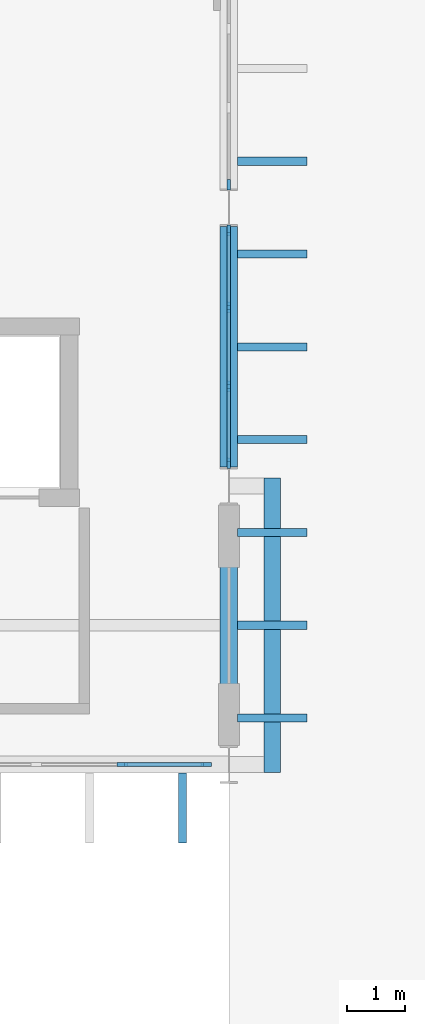
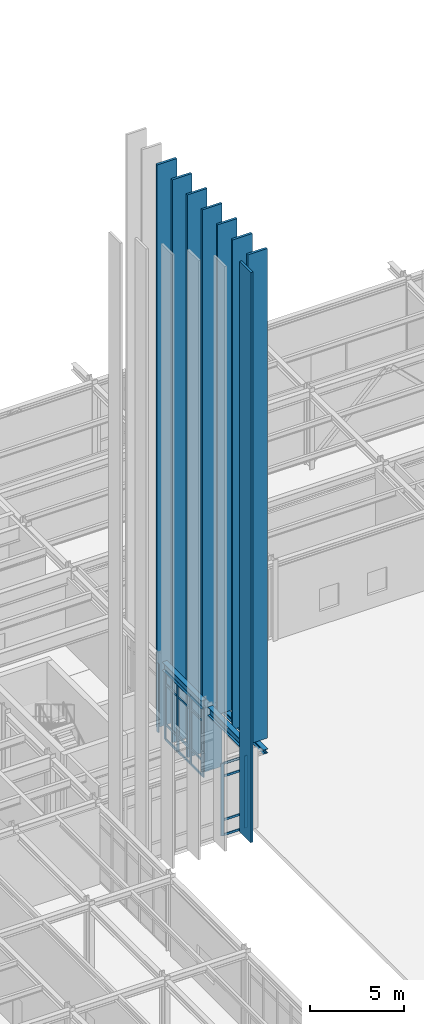
# One storey, part 43 of 109: 31 members, 3 beams, 3 elements without a shape of their own.
"""IFC4 building model written with IfcOpenShell, lengths in metres."""

import ifcopenshell
import ifcopenshell.guid

model = None  # the IFC model being written
_history = None  # IfcOwnerHistory: only IFC2X3 demands one
_inside = {}  # id of a spatial element -> (the spatial element, [elements in it])
_under = {}  # id of a project, library or spatial element -> (it, [spatial elements below it])
_declared = {}  # id of a project -> (the project, [libraries it declares])
_typed = {}  # id of a type object -> (the type object, [elements of that type])
_made_of = {}  # id of a material, layer set ... -> (it, [elements and type objects made of it])


def new_model(schema):
    """Start an empty IFC model of exactly this schema.

    Asked for "IFC4X3", IfcOpenShell would pick the latest addendum, in which some entities
    have other attributes; the version numbers below select the first issue.
    IFC2X3 requires an IfcOwnerHistory on every rooted entity: one is made here for all.
    """
    global model, _history
    if schema == "IFC4X3":
        model = ifcopenshell.file(schema_version=(4, 3, 0, 0))
    else:
        model = ifcopenshell.file(schema=schema)
    _inside.clear()
    _under.clear()
    _declared.clear()
    _typed.clear()
    _made_of.clear()
    _history = None
    if model.schema == "IFC2X3":
        org = make("IfcOrganization", Name="unknown")
        user = make(
            "IfcPersonAndOrganization",
            ThePerson=make("IfcPerson", FamilyName="unknown"),
            TheOrganization=org,
        )
        app = make(
            "IfcApplication",
            ApplicationDeveloper=org,
            Version="unknown",
            ApplicationFullName="unknown",
            ApplicationIdentifier="unknown",
        )
        _history = make(
            "IfcOwnerHistory",
            OwningUser=user,
            OwningApplication=app,
            ChangeAction="ADDED",
            CreationDate=0,
        )
    return model


def make(cls, **values):
    """One entity of the class cls with the attributes given. An attribute that is None is left unset."""
    return model.create_entity(
        cls, **{name: value for name, value in values.items() if value is not None}
    )


def rooted(cls, **values):
    """An entity with a GlobalId (a new one), such as an element, a storey or a relation."""
    return make(cls, GlobalId=ifcopenshell.guid.new(), OwnerHistory=_history, **values)


def si_unit(unit_type, name, prefix=None):
    """IfcSIUnit, for example si_unit("LENGTHUNIT", "METRE", prefix="MILLI")."""
    return make("IfcSIUnit", UnitType=unit_type, Prefix=prefix, Name=name)


def assignment(units):
    """IfcUnitAssignment: the units of a project."""
    return None if units is None else make("IfcUnitAssignment", Units=units)


def point(xyz):
    """IfcCartesianPoint."""
    return None if xyz is None else make("IfcCartesianPoint", Coordinates=xyz)


def direction(xyz):
    """IfcDirection."""
    return None if xyz is None else make("IfcDirection", DirectionRatios=xyz)


def frame(location, z_axis=None, x_axis=None):
    """IfcAxis2Placement3D, a coordinate frame: its origin and axes. An axis left out is left unset."""
    return make(
        "IfcAxis2Placement3D",
        Location=point(location),
        Axis=direction(z_axis),
        RefDirection=direction(x_axis),
    )


def frame_2d(location, x_axis=None):
    """IfcAxis2Placement2D, a coordinate frame in the plane: its origin and x axis."""
    return make(
        "IfcAxis2Placement2D", Location=point(location), RefDirection=direction(x_axis)
    )


def origin():
    """The frame at (0, 0, 0) with its axes left unset."""
    return frame((0.0, 0.0, 0.0))


def origin_2d():
    """The frame at (0, 0) in the plane with its x axis left unset."""
    return frame_2d((0.0, 0.0))


def place(relative_to, where):
    """IfcLocalPlacement: puts the frame where relative to a parent placement (None: the world)."""
    return make(
        "IfcLocalPlacement", PlacementRelTo=relative_to, RelativePlacement=where
    )


def context(
    kind, dimensions, precision=None, world=None, true_north=None, identifier=None
):
    """IfcGeometricRepresentationContext, for example the 3D "Model" context."""
    return make(
        "IfcGeometricRepresentationContext",
        ContextIdentifier=identifier,
        ContextType=kind,
        CoordinateSpaceDimension=dimensions,
        Precision=precision,
        WorldCoordinateSystem=world,
        TrueNorth=true_north,
    )


def subcontext(parent, identifier, kind, view, scale=None):
    """IfcGeometricRepresentationSubContext, for example "Body" below "Model"."""
    return make(
        "IfcGeometricRepresentationSubContext",
        ContextIdentifier=identifier,
        ContextType=kind,
        ParentContext=parent,
        TargetScale=scale,
        TargetView=view,
    )


def project(units=None, contexts=None):
    """IfcProject with its units and contexts."""
    return rooted(
        "IfcProject",
        Name="project",
        RepresentationContexts=contexts,
        UnitsInContext=assignment(units),
    )


def spatial(cls, under=None, at=None, **own):
    """A site, building, storey or space (cls), placed at a placement, below another one or the project."""
    s = rooted(cls, ObjectPlacement=at, **own)
    if under is not None:
        _under.setdefault(under.id(), (under, []))[1].append(s)
    return s


def profile(cls, at=None, kind="AREA", **sizes):
    """A parametric profile (cls). Its sizes go by their IFC names, for example OverallWidth=200.0."""
    return make(cls, ProfileType=kind, Position=at, **sizes)


def rectangle(**sizes):
    """IfcRectangleProfileDef."""
    return profile("IfcRectangleProfileDef", **sizes)


def i_section(**sizes):
    """IfcIShapeProfileDef."""
    return profile("IfcIShapeProfileDef", **sizes)


def extrude(swept, where, along, depth):
    """IfcExtrudedAreaSolid: the profile swept, set in the frame where, extruded along a direction by depth."""
    return make(
        "IfcExtrudedAreaSolid",
        SweptArea=swept,
        Position=where,
        ExtrudedDirection=direction(along),
        Depth=depth,
    )


def shape(context_of_items, identifier, shape_type, items):
    """IfcShapeRepresentation: the items that make up one representation, for example the "Body"."""
    return make(
        "IfcShapeRepresentation",
        ContextOfItems=context_of_items,
        RepresentationIdentifier=identifier,
        RepresentationType=shape_type,
        Items=items,
    )


def material(Name=None, Category=None):
    """IfcMaterial."""
    return make("IfcMaterial", Name=Name, Category=Category)


def layer(
    of_material, thickness, ventilated=None, Name=None, Category=None, Priority=None
):
    """IfcMaterialLayer: one layer of a wall or slab, of a material (None: an air gap)."""
    return make(
        "IfcMaterialLayer",
        Material=of_material,
        LayerThickness=thickness,
        IsVentilated=ventilated,
        Name=Name,
        Category=Category,
        Priority=Priority,
    )


def layer_set(layers, Name=None):
    """IfcMaterialLayerSet."""
    return make("IfcMaterialLayerSet", MaterialLayers=layers, LayerSetName=Name)


def material_profile(
    of_material, cross_section, Name=None, Category=None, Priority=None
):
    """IfcMaterialProfile: a cross section and its material."""
    return make(
        "IfcMaterialProfile",
        Name=Name,
        Material=of_material,
        Profile=cross_section,
        Priority=Priority,
        Category=Category,
    )


def profile_set(profiles, Name=None, composite=None):
    """IfcMaterialProfileSet."""
    return make(
        "IfcMaterialProfileSet",
        Name=Name,
        MaterialProfiles=profiles,
        CompositeProfile=composite,
    )


def made_of(thing, what):
    """Note that an element or type object is made of a material, layer set ...; save() writes the relation."""
    if what is not None:
        _made_of.setdefault(what.id(), (what, []))[1].append(thing)
    return thing


def type_object(cls, material=None, **own):
    """A type object (cls), such as IfcWallType, which elements share."""
    return made_of(rooted(cls, **own), material)


def element(
    cls,
    number,
    at=None,
    inside=None,
    cuts=None,
    type_object=None,
    material=None,
    context=None,
    identifier="Body",
    shape_type=None,
    held_by="IfcProductDefinitionShape",
    body=None,
    shapes=None,
    **own,
):
    """One element of the class cls, such as IfcWall. Its Tag is "e" and its number.

    at: its placement. inside: the storey or other place that contains it. cuts: it is an
    opening in that element (IfcRelVoidsElement). A single representation is given by context,
    identifier, shape_type and body (its items); several are given by shapes. held_by: the class
    of the entity that holds the representations. save() writes the other relations.
    """
    e = rooted(cls, Tag="e%d" % number, ObjectPlacement=at, **own)
    if body is not None:
        shapes = [shape(context, identifier, shape_type, body)]
    if shapes is not None:
        e.Representation = make(held_by, Representations=shapes)
    if inside is not None:
        _inside.setdefault(inside.id(), (inside, []))[1].append(e)
    if cuts is not None:
        rooted(
            "IfcRelVoidsElement", RelatingBuildingElement=cuts, RelatedOpeningElement=e
        )
    if type_object is not None:
        _typed.setdefault(type_object.id(), (type_object, []))[1].append(e)
    return made_of(e, material)


def aggregate(whole, parts):
    """IfcRelAggregates: a whole, such as a stair, and the parts it consists of."""
    return rooted("IfcRelAggregates", RelatingObject=whole, RelatedObjects=parts)


def save(model, path):
    """Write the relations noted so far, then the file.

    IfcRelAggregates (storeys below a building ...), IfcRelContainedInSpatialStructure (elements
    in a storey), IfcRelDefinesByType, IfcRelAssociatesMaterial and IfcRelDeclares: one each for
    every whole, place, type object, material and project.
    """
    for whole, parts in _under.values():
        aggregate(whole, parts)
    for where, things in _inside.values():
        rooted(
            "IfcRelContainedInSpatialStructure",
            RelatedElements=things,
            RelatingStructure=where,
        )
    for kind, things in _typed.values():
        rooted("IfcRelDefinesByType", RelatedObjects=things, RelatingType=kind)
    for what, things in _made_of.values():
        rooted("IfcRelAssociatesMaterial", RelatedObjects=things, RelatingMaterial=what)
    for by, libraries in _declared.values():
        rooted("IfcRelDeclares", RelatingContext=by, RelatedDefinitions=libraries)
    model.write(path)


model = new_model("IFC4")

# Units and contexts
model_context = context("Model", 3, precision=1e-05, world=origin(), true_north=direction((0.0, 1.0)))
body_context = subcontext(model_context, "Body", "Model", "MODEL_VIEW")
ifc_project = project(units=[si_unit("LENGTHUNIT", "METRE"), si_unit("AREAUNIT", "SQUARE_METRE"), si_unit("VOLUMEUNIT", "CUBIC_METRE"), si_unit("PLANEANGLEUNIT", "RADIAN"), si_unit("MASSUNIT", "GRAM", prefix="KILO")], contexts=[model_context])

# Site, building, storey
site_placement = place(None, origin())
site = spatial("IfcSite", under=ifc_project, at=site_placement, CompositionType="ELEMENT")
building_placement = place(site_placement, origin())
building = spatial("IfcBuilding", under=site, at=building_placement, Name="Nordkorset Police Headquarters", CompositionType="ELEMENT")
storey_placement = place(building_placement, origin())
storey = spatial("IfcBuildingStorey", under=building, at=storey_placement, Name="L00", CompositionType="ELEMENT", Elevation=0.0)

# Curtain wall, members
ifc_material_1 = material(Name="Aluminium alloy AW-6060", Category="aluminium")
ifc_layer_1 = layer(ifc_material_1, 0.179931640625, Name="Aluminium alloy AW-6060")
ifc_layer_set_1 = layer_set([ifc_layer_1], Name="Aluminium alloy AW-6060")
curtain_wall_type_1 = type_object("IfcCurtainWallType", Name="CW_Unit_408x444", PredefinedType="USERDEFINED", material=ifc_layer_set_1)
curtain_wall_1_placement = place(storey_placement, origin())
curtain_wall_1 = element("IfcCurtainWall", 1, at=curtain_wall_1_placement, inside=storey, type_object=curtain_wall_type_1, Name="Unitised Curtain Wall L00 V1E-1", ObjectType="UNITISED CURTAIN WALL", PredefinedType="USERDEFINED")
ifc_material_2 = material(Name="Aluminium alloy AW-6060", Category="aluminium")
ifc_material_profile_1 = material_profile(ifc_material_2, rectangle(XDim=0.06494140625, YDim=0.179931640625, at=origin_2d()), Name="ALU MULL 65x180")
ifc_profile_set_1 = profile_set([ifc_material_profile_1], Name="Aluminium alloy AW-6060")
member_type_1 = type_object("IfcMemberType", Name="CW_Mullion_65x180", PredefinedType="MULLION", material=ifc_profile_set_1)
member_1_placement = place(storey_placement, frame((28.800048828125, 88.392578125, 0.0), z_axis=(0.0, 0.0, 1.0), x_axis=(-1.0, 0.0, 0.0)))
member_1 = element("IfcMember", 2, at=member_1_placement, type_object=member_type_1, Name="CW-66 mullion 1", PredefinedType="MULLION", context=body_context, shape_type="SweptSolid", body=[
    extrude(rectangle(XDim=0.06494140625, YDim=0.179931640625, at=origin_2d()), origin(), (0.0, 0.0, 1.0), 4.43994140625),
])
member_2_placement = place(storey_placement, frame((28.800048828125, 89.719970703125, 0.0), z_axis=(0.0, 0.0, 1.0), x_axis=(-1.0, 0.0, 0.0)))
member_2 = element("IfcMember", 3, at=member_2_placement, type_object=member_type_1, Name="CW-66 mullion 2", PredefinedType="MULLION", context=body_context, shape_type="SweptSolid", body=[
    extrude(rectangle(XDim=0.06494140625, YDim=0.179931640625, at=origin_2d()), origin(), (0.0, 0.0, 1.0), 4.43994140625),
])
member_3_placement = place(storey_placement, frame((28.800048828125, 91.080078125, 0.0), z_axis=(0.0, 0.0, 1.0), x_axis=(-1.0, 0.0, 0.0)))
member_3 = element("IfcMember", 4, at=member_3_placement, type_object=member_type_1, Name="CW-66 mullion 3", PredefinedType="MULLION", context=body_context, shape_type="SweptSolid", body=[
    extrude(rectangle(XDim=0.06494140625, YDim=0.179931640625, at=origin_2d()), origin(), (0.0, 0.0, 1.0), 4.43994140625),
])
member_4_placement = place(storey_placement, frame((28.800048828125, 92.407470703125, 0.0), z_axis=(0.0, 0.0, 1.0), x_axis=(-1.0, 0.0, 0.0)))
member_4 = element("IfcMember", 5, at=member_4_placement, type_object=member_type_1, Name="CW-66 mullion 4", PredefinedType="MULLION", context=body_context, shape_type="SweptSolid", body=[
    extrude(rectangle(XDim=0.06494140625, YDim=0.179931640625, at=origin_2d()), origin(), (0.0, 0.0, 1.0), 4.43994140625),
])

# Curtain wall, member
curtain_wall_2_placement = place(storey_placement, origin())
curtain_wall_2 = element("IfcCurtainWall", 6, at=curtain_wall_2_placement, inside=storey, type_object=curtain_wall_type_1, Name="Unitised Curtain Wall L00 V1E-2", ObjectType="UNITISED CURTAIN WALL", PredefinedType="USERDEFINED")
member_5_placement = place(storey_placement, frame((28.800048828125, 93.1923828125, 0.0), z_axis=(0.0, 0.0, 1.0), x_axis=(-1.0, 0.0, 0.0)))
member_5 = element("IfcMember", 7, at=member_5_placement, type_object=member_type_1, Name="CW-66 mullion 1", PredefinedType="MULLION", context=body_context, shape_type="SweptSolid", body=[
    extrude(rectangle(XDim=0.06494140625, YDim=0.179931640625, at=origin_2d()), origin(), (0.0, 0.0, 1.0), 4.43994140625),
])
aggregate(curtain_wall_2, [member_5])

# Curtain wall, members
ifc_material_3 = material(Name="Aluminium alloy AW-6060", Category="aluminium")
ifc_layer_2 = layer(ifc_material_3, 0.179931640625, Name="Aluminium alloy AW-6060")
ifc_layer_set_2 = layer_set([ifc_layer_2], Name="Aluminium alloy AW-6060")
curtain_wall_type_2 = type_object("IfcCurtainWallType", Name="CW_Unit_888x467", PredefinedType="USERDEFINED", material=ifc_layer_set_2)
curtain_wall_3_placement = place(storey_placement, origin())
curtain_wall_3 = element("IfcCurtainWall", 8, at=curtain_wall_3_placement, inside=storey, type_object=curtain_wall_type_2, Name="Unitised Curtain Wall L00 V1S-2", ObjectType="UNITISED CURTAIN WALL", PredefinedType="USERDEFINED")
member_6_placement = place(storey_placement, frame((26.9599609375, 83.199951171875, 0.0), z_axis=(0.0, 0.0, 1.0), x_axis=(0.0, 1.0, 0.0)))
member_6 = element("IfcMember", 9, at=member_6_placement, type_object=member_type_1, Name="CW-51 mullion 6", PredefinedType="MULLION", context=body_context, shape_type="SweptSolid", body=[
    extrude(rectangle(XDim=0.06494140625, YDim=0.179931640625, at=origin_2d()), origin(), (0.0, 0.0, 1.0), 4.669921875),
])
member_7_placement = place(storey_placement, frame((28.407470703125, 83.199951171875, 0.0), z_axis=(0.0, 0.0, 1.0), x_axis=(0.0, 1.0, 0.0)))
member_7 = element("IfcMember", 10, at=member_7_placement, type_object=member_type_1, Name="CW-51 mullion 7", PredefinedType="MULLION", context=body_context, shape_type="SweptSolid", body=[
    extrude(rectangle(XDim=0.06494140625, YDim=0.179931640625, at=origin_2d()), origin(), (0.0, 0.0, 1.0), 4.669921875),
])

# Member
ifc_material_4 = material(Name="Aluminium alloy AW-6060", Category="aluminium")
ifc_material_profile_2 = material_profile(ifc_material_4, rectangle(XDim=0.06494140625, YDim=0.139892578125, at=origin_2d()), Name="ALU TRAN 65x140")
ifc_profile_set_2 = profile_set([ifc_material_profile_2], Name="Aluminium alloy AW-6060")
member_type_2 = type_object("IfcMemberType", Name="CW_Transom_65x140", PredefinedType="USERDEFINED", material=ifc_profile_set_2)
member_8_placement = place(storey_placement, frame((28.800048828125, 88.425048828125, 0.032470703125), z_axis=(0.0, 1.0, 0.0), x_axis=(-1.0, 0.0, 0.0)))
member_8 = element("IfcMember", 11, at=member_8_placement, type_object=member_type_2, Name="CW-66 transom 1.1", ObjectType="TRANSOM", PredefinedType="USERDEFINED", context=body_context, shape_type="SweptSolid", body=[
    extrude(rectangle(XDim=0.06494140625, YDim=0.139892578125, at=origin_2d()), origin(), (0.0, 0.0, 1.0), 1.262451171875),
])

member_9_placement = place(storey_placement, frame((28.800048828125, 88.425048828125, 1.0), z_axis=(0.0, 1.0, 0.0), x_axis=(-1.0, 0.0, 0.0)))
member_9 = element("IfcMember", 12, at=member_9_placement, type_object=member_type_2, Name="CW-66 transom 1.2", ObjectType="TRANSOM", PredefinedType="USERDEFINED", context=body_context, shape_type="SweptSolid", body=[
    extrude(rectangle(XDim=0.06494140625, YDim=0.139892578125, at=origin_2d()), origin(), (0.0, 0.0, 1.0), 1.262451171875),
])

member_10_placement = place(storey_placement, frame((28.800048828125, 88.425048828125, 3.590087890625), z_axis=(0.0, 1.0, 0.0), x_axis=(-1.0, 0.0, 0.0)))
member_10 = element("IfcMember", 13, at=member_10_placement, type_object=member_type_2, Name="CW-66 transom 1.3", ObjectType="TRANSOM", PredefinedType="USERDEFINED", context=body_context, shape_type="SweptSolid", body=[
    extrude(rectangle(XDim=0.06494140625, YDim=0.139892578125, at=origin_2d()), origin(), (0.0, 0.0, 1.0), 1.262451171875),
])

member_11_placement = place(storey_placement, frame((28.800048828125, 88.425048828125, 4.407470703125), z_axis=(0.0, 1.0, 0.0), x_axis=(-1.0, 0.0, 0.0)))
member_11 = element("IfcMember", 14, at=member_11_placement, type_object=member_type_2, Name="CW-66 transom 1.4", ObjectType="TRANSOM", PredefinedType="USERDEFINED", context=body_context, shape_type="SweptSolid", body=[
    extrude(rectangle(XDim=0.06494140625, YDim=0.139892578125, at=origin_2d()), origin(), (0.0, 0.0, 1.0), 1.262451171875),
])

member_12_placement = place(storey_placement, frame((28.800048828125, 89.75244140625, 0.032470703125), z_axis=(0.0, 1.0, 0.0), x_axis=(-1.0, 0.0, 0.0)))
member_12 = element("IfcMember", 15, at=member_12_placement, type_object=member_type_2, Name="CW-66 transom 2.1", ObjectType="TRANSOM", PredefinedType="USERDEFINED", context=body_context, shape_type="SweptSolid", body=[
    extrude(rectangle(XDim=0.06494140625, YDim=0.139892578125, at=origin_2d()), origin(), (0.0, 0.0, 1.0), 1.295166015625),
])

member_13_placement = place(storey_placement, frame((28.800048828125, 89.75244140625, 1.0), z_axis=(0.0, 1.0, 0.0), x_axis=(-1.0, 0.0, 0.0)))
member_13 = element("IfcMember", 16, at=member_13_placement, type_object=member_type_2, Name="CW-66 transom 2.2", ObjectType="TRANSOM", PredefinedType="USERDEFINED", context=body_context, shape_type="SweptSolid", body=[
    extrude(rectangle(XDim=0.06494140625, YDim=0.139892578125, at=origin_2d()), origin(), (0.0, 0.0, 1.0), 1.295166015625),
])

member_14_placement = place(storey_placement, frame((28.800048828125, 89.75244140625, 3.590087890625), z_axis=(0.0, 1.0, 0.0), x_axis=(-1.0, 0.0, 0.0)))
member_14 = element("IfcMember", 17, at=member_14_placement, type_object=member_type_2, Name="CW-66 transom 2.3", ObjectType="TRANSOM", PredefinedType="USERDEFINED", context=body_context, shape_type="SweptSolid", body=[
    extrude(rectangle(XDim=0.06494140625, YDim=0.139892578125, at=origin_2d()), origin(), (0.0, 0.0, 1.0), 1.295166015625),
])

member_15_placement = place(storey_placement, frame((28.800048828125, 89.75244140625, 4.407470703125), z_axis=(0.0, 1.0, 0.0), x_axis=(-1.0, 0.0, 0.0)))
member_15 = element("IfcMember", 18, at=member_15_placement, type_object=member_type_2, Name="CW-66 transom 2.4", ObjectType="TRANSOM", PredefinedType="USERDEFINED", context=body_context, shape_type="SweptSolid", body=[
    extrude(rectangle(XDim=0.06494140625, YDim=0.139892578125, at=origin_2d()), origin(), (0.0, 0.0, 1.0), 1.295166015625),
])

member_16_placement = place(storey_placement, frame((28.800048828125, 91.112548828125, 0.032470703125), z_axis=(0.0, 1.0, 0.0), x_axis=(-1.0, 0.0, 0.0)))
member_16 = element("IfcMember", 19, at=member_16_placement, type_object=member_type_2, Name="CW-66 transom 3.1", ObjectType="TRANSOM", PredefinedType="USERDEFINED", context=body_context, shape_type="SweptSolid", body=[
    extrude(rectangle(XDim=0.06494140625, YDim=0.139892578125, at=origin_2d()), origin(), (0.0, 0.0, 1.0), 1.262451171875),
])

member_17_placement = place(storey_placement, frame((28.800048828125, 91.112548828125, 1.0), z_axis=(0.0, 1.0, 0.0), x_axis=(-1.0, 0.0, 0.0)))
member_17 = element("IfcMember", 20, at=member_17_placement, type_object=member_type_2, Name="CW-66 transom 3.2", ObjectType="TRANSOM", PredefinedType="USERDEFINED", context=body_context, shape_type="SweptSolid", body=[
    extrude(rectangle(XDim=0.06494140625, YDim=0.139892578125, at=origin_2d()), origin(), (0.0, 0.0, 1.0), 1.262451171875),
])

member_18_placement = place(storey_placement, frame((28.800048828125, 91.112548828125, 3.590087890625), z_axis=(0.0, 1.0, 0.0), x_axis=(-1.0, 0.0, 0.0)))
member_18 = element("IfcMember", 21, at=member_18_placement, type_object=member_type_2, Name="CW-66 transom 3.3", ObjectType="TRANSOM", PredefinedType="USERDEFINED", context=body_context, shape_type="SweptSolid", body=[
    extrude(rectangle(XDim=0.06494140625, YDim=0.139892578125, at=origin_2d()), origin(), (0.0, 0.0, 1.0), 1.262451171875),
])

member_19_placement = place(storey_placement, frame((28.800048828125, 91.112548828125, 4.407470703125), z_axis=(0.0, 1.0, 0.0), x_axis=(-1.0, 0.0, 0.0)))
member_19 = element("IfcMember", 22, at=member_19_placement, type_object=member_type_2, Name="CW-66 transom 3.4", ObjectType="TRANSOM", PredefinedType="USERDEFINED", context=body_context, shape_type="SweptSolid", body=[
    extrude(rectangle(XDim=0.06494140625, YDim=0.139892578125, at=origin_2d()), origin(), (0.0, 0.0, 1.0), 1.262451171875),
])

aggregate(curtain_wall_1, [member_1, member_2, member_3, member_4, member_8, member_9, member_10, member_11, member_12, member_13, member_14, member_15, member_16, member_17, member_18, member_19])

member_20_placement = place(storey_placement, frame((26.992431640625, 83.199951171875, 0.032470703125), z_axis=(1.0, 0.0, 0.0), x_axis=(0.0, 1.0, 0.0)))
member_20 = element("IfcMember", 23, at=member_20_placement, type_object=member_type_2, Name="CW-51 transom 6.1", ObjectType="TRANSOM", PredefinedType="USERDEFINED", context=body_context, shape_type="SweptSolid", body=[
    extrude(rectangle(XDim=0.06494140625, YDim=0.139892578125, at=origin_2d()), origin(), (0.0, 0.0, 1.0), 1.382568359375),
])

member_21_placement = place(storey_placement, frame((26.992431640625, 83.199951171875, 1.0), z_axis=(1.0, 0.0, 0.0), x_axis=(0.0, 1.0, 0.0)))
member_21 = element("IfcMember", 24, at=member_21_placement, type_object=member_type_2, Name="CW-51 transom 6.2", ObjectType="TRANSOM", PredefinedType="USERDEFINED", context=body_context, shape_type="SweptSolid", body=[
    extrude(rectangle(XDim=0.06494140625, YDim=0.139892578125, at=origin_2d()), origin(), (0.0, 0.0, 1.0), 1.382568359375),
])

member_22_placement = place(storey_placement, frame((26.992431640625, 83.199951171875, 3.820068359375), z_axis=(1.0, 0.0, 0.0), x_axis=(0.0, 1.0, 0.0)))
member_22 = element("IfcMember", 25, at=member_22_placement, type_object=member_type_2, Name="CW-51 transom 6.3", ObjectType="TRANSOM", PredefinedType="USERDEFINED", context=body_context, shape_type="SweptSolid", body=[
    extrude(rectangle(XDim=0.06494140625, YDim=0.139892578125, at=origin_2d()), origin(), (0.0, 0.0, 1.0), 1.382568359375),
])

member_23_placement = place(storey_placement, frame((26.992431640625, 83.199951171875, 4.637451171875), z_axis=(1.0, 0.0, 0.0), x_axis=(0.0, 1.0, 0.0)))
member_23 = element("IfcMember", 26, at=member_23_placement, type_object=member_type_2, Name="CW-51 transom 6.4", ObjectType="TRANSOM", PredefinedType="USERDEFINED", context=body_context, shape_type="SweptSolid", body=[
    extrude(rectangle(XDim=0.06494140625, YDim=0.139892578125, at=origin_2d()), origin(), (0.0, 0.0, 1.0), 1.382568359375),
])

aggregate(curtain_wall_3, [member_6, member_7, member_20, member_21, member_22, member_23])

# Beams
ifc_material_5 = material(Name="Steel S355J2", Category="steel")
ifc_material_profile_3 = material_profile(ifc_material_5, i_section(OverallWidth=0.300048828125, OverallDepth=0.5400390625, WebThickness=0.012451171875, FlangeThickness=0.02392578125, FilletRadius=0.027099609375, at=origin_2d()), Name="HEA 550")
ifc_profile_set_3 = profile_set([ifc_material_profile_3], Name="Steel S355J2")
beam_type_1 = type_object("IfcBeamType", Name="Girder_HEA_550", PredefinedType="USERDEFINED", material=ifc_profile_set_3)
for number, where, z_axis, x_axis, name in (
    (27, (28.800048828125, 83.52490234375, 4.72998046875), (0.0, 1.0, 0.0), (-1.0, 0.0, 0.0), "Girder V1 L00 GY-2-0"),
    (28, (28.800048828125, 88.324951171875, 4.72998046875), (0.0, 1.0, 0.0), (-1.0, 0.0, 0.0), "Girder V1 L00 GY-2-1"),
):
    element("IfcBeam", number, at=place(storey_placement, frame(where, z_axis=z_axis, x_axis=x_axis)), inside=storey, type_object=beam_type_1, Name=name, ObjectType="GIRDER", PredefinedType="USERDEFINED", context=body_context, shape_type="SweptSolid", body=[
        extrude(i_section(OverallWidth=0.300048828125, OverallDepth=0.5400390625, WebThickness=0.012451171875, FlangeThickness=0.02392578125, FilletRadius=0.027099609375, at=origin_2d()), origin(), (0.0, 0.0, 1.0), 4.150146484375),
    ])

# Members
ifc_material_6 = material(Name="Glulam GL30c", Category="wood")
ifc_material_profile_4 = material_profile(ifc_material_6, rectangle(XDim=0.139892578125, YDim=1.199951171875, at=origin_2d()), Name="GL30C FIN 140x1200")
ifc_profile_set_4 = profile_set([ifc_material_profile_4], Name="Glulam GL30c")
member_type_3 = type_object("IfcMemberType", Name="Member_GlulamFin_140x1200", PredefinedType="USERDEFINED", material=ifc_profile_set_4)
for number, where, z_axis, x_axis, name in (
    (29, (29.550048828125, 84.0, 4.735107421875), (0.0, 0.0, 1.0), (0.0, 1.0, 0.0), "Vertical Glulam Timber Fin East 022"),
    (30, (29.550048828125, 85.60009765625, 4.735107421875), (0.0, 0.0, 1.0), (0.0, 1.0, 0.0), "Vertical Glulam Timber Fin East 023"),
    (31, (29.550048828125, 87.199951171875, 4.735107421875), (0.0, 0.0, 1.0), (0.0, 1.0, 0.0), "Vertical Glulam Timber Fin East 024"),
):
    element("IfcMember", number, at=place(storey_placement, frame(where, z_axis=z_axis, x_axis=x_axis)), inside=storey, type_object=member_type_3, Name=name, ObjectType="VERTICAL TIMBER FIN", PredefinedType="USERDEFINED", context=body_context, shape_type="SweptSolid", body=[
        extrude(rectangle(XDim=0.139892578125, YDim=1.199951171875, at=origin_2d()), origin(), (0.0, 0.0, 1.0), 31.6748046875),
    ])
for number, where, z_axis, x_axis, name in (
    (32, (29.550048828125, 88.800048828125, 0.0), (0.0, 0.0, 1.0), (0.0, 1.0, 0.0), "Vertical Glulam Timber Fin East 025"),
    (33, (29.550048828125, 90.39990234375, 0.0), (0.0, 0.0, 1.0), (0.0, 1.0, 0.0), "Vertical Glulam Timber Fin East 026"),
    (34, (29.550048828125, 92.0, 0.0), (0.0, 0.0, 1.0), (0.0, 1.0, 0.0), "Vertical Glulam Timber Fin East 027"),
    (35, (29.550048828125, 93.60009765625, 0.0), (0.0, 0.0, 1.0), (0.0, 1.0, 0.0), "Vertical Glulam Timber Fin East 028"),
):
    element("IfcMember", number, at=place(storey_placement, frame(where, z_axis=z_axis, x_axis=x_axis)), inside=storey, type_object=member_type_3, Name=name, ObjectType="VERTICAL TIMBER FIN", PredefinedType="USERDEFINED", context=body_context, shape_type="SweptSolid", body=[
        extrude(rectangle(XDim=0.139892578125, YDim=1.199951171875, at=origin_2d()), origin(), (0.0, 0.0, 1.0), 36.409912109375),
    ])
member_24_placement = place(storey_placement, frame((28.0, 82.449951171875, 0.0), z_axis=(0.0, 0.0, 1.0), x_axis=(1.0, 0.0, 0.0)))
element("IfcMember", 36, at=member_24_placement, inside=storey, type_object=member_type_3, Name="Vertical Glulam Gable Fin South 078", ObjectType="VERTICAL TIMBER FIN", PredefinedType="USERDEFINED", context=body_context, shape_type="SweptSolid", body=[
    extrude(rectangle(XDim=0.139892578125, YDim=1.199951171875, at=origin_2d()), origin(), (0.0, 0.0, 1.0), 36.884521484375),
])

# Beam
ifc_material_7 = material(Name="Steel S355J2", Category="steel")
ifc_material_profile_5 = material_profile(ifc_material_7, i_section(OverallWidth=0.280029296875, OverallDepth=0.27001953125, WebThickness=0.008056640625, FlangeThickness=0.012939453125, FilletRadius=0.02392578125, at=origin_2d()), Name="HEA 280")
ifc_profile_set_5 = profile_set([ifc_material_profile_5], Name="Steel S355J2")
beam_type_2 = type_object("IfcBeamType", Name="Spandrel_HEA_280", PredefinedType="SPANDREL", material=ifc_profile_set_5)
beam_placement = place(storey_placement, frame((29.550048828125, 83.06005859375, 4.60009765625), z_axis=(0.0, 1.0, 0.0), x_axis=(-1.0, 0.0, 0.0)))
element("IfcBeam", 37, at=beam_placement, inside=storey, type_object=beam_type_2, Name="Facade Fin Support Ledger East Bay 1", PredefinedType="SPANDREL", context=body_context, shape_type="SweptSolid", body=[
    extrude(i_section(OverallWidth=0.280029296875, OverallDepth=0.27001953125, WebThickness=0.008056640625, FlangeThickness=0.012939453125, FilletRadius=0.02392578125, at=origin_2d()), origin(), (0.0, 0.0, 1.0), 5.079833984375),
])

save(model, "model.ifc")
